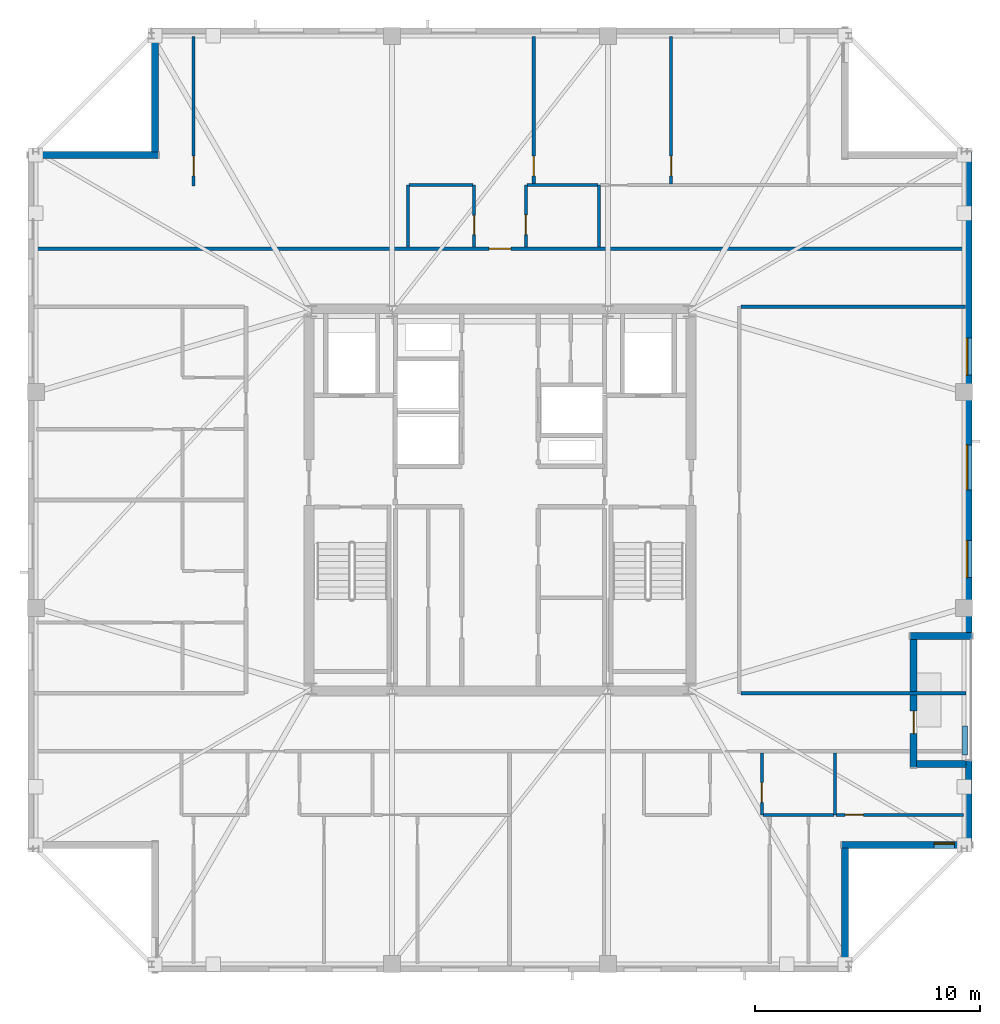
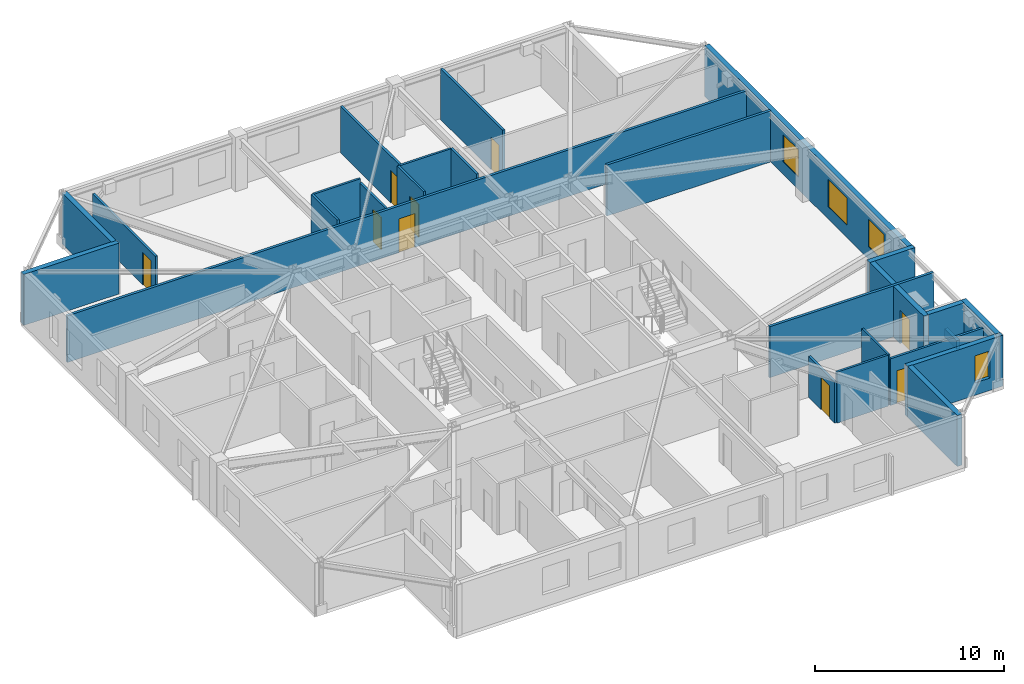
# One storey, part 10 of 14: 26 walls, 9 doors, 4 windows, 13 openings.
"""IFC4 building model written with IfcOpenShell, lengths in metres."""

from ifc_helpers import new_model, si_unit, direction, frame, frame_2d, origin, place, context, subcontext, project, spatial, rectangle, extrude, material, layer, layer_set, type_object, element, fill, save


model = new_model("IFC4")

# Units and contexts
model_context = context("Model", 3, precision=1e-05, world=origin(), true_north=direction((0.0, 1.0)))
body_context = subcontext(model_context, "Body", "Model", "MODEL_VIEW")
ifc_project = project(units=[si_unit("LENGTHUNIT", "METRE"), si_unit("AREAUNIT", "SQUARE_METRE"), si_unit("VOLUMEUNIT", "CUBIC_METRE"), si_unit("PLANEANGLEUNIT", "RADIAN"), si_unit("MASSUNIT", "GRAM", prefix="KILO")], contexts=[model_context])

# Site, building, storey
site_placement = place(None, origin())
site = spatial("IfcSite", under=ifc_project, at=site_placement, CompositionType="ELEMENT")
building_placement = place(site_placement, origin())
building = spatial("IfcBuilding", under=site, at=building_placement, Name="Cairnveth Concourse Tower", CompositionType="ELEMENT")
storey_placement = place(building_placement, frame((0.0, 0.0, 294.5)))
storey = spatial("IfcBuildingStorey", under=building, at=storey_placement, Name="L81", CompositionType="ELEMENT", Elevation=294.5)

# Wall, opening, door
ifc_material_1 = material(Name="Gypsum Plasterboard Partition", Category="gypsum")
ifc_layer_1 = layer(ifc_material_1, 0.159912109375)
ifc_layer_set_1 = layer_set([ifc_layer_1], Name="Gypsum Plasterboard Partition")
wall_type_1 = type_object("IfcWallType", Name="ACOUSTIC PARTY WALL 180", PredefinedType="PARTITIONING", material=ifc_layer_set_1)
wall_1_placement = place(storey_placement, frame((31.284912109375, 50.177490234375, 0.0), z_axis=(0.0, 0.0, 1.0), x_axis=(1.0, 0.0, 0.0)))
wall_1 = element("IfcWall", 1, at=wall_1_placement, inside=storey, type_object=wall_type_1, Name="Interior Wall IW-L81-037", PredefinedType="PARTITIONING", context=body_context, shape_type="SweptSolid", body=[
    extrude(rectangle(XDim=41.43017578125, YDim=0.159912109375, at=frame_2d((20.715087890625, 0.0))), origin(), (0.0, 0.0, 1.0), 3.009033203125),
])
opening_1_placement = place(wall_1_placement, frame((20.235107421875, 0.0, 0.0)))
opening_1 = element("IfcOpeningElement", 2, at=opening_1_placement, cuts=wall_1, Name="Opening ID10", PredefinedType="OPENING", context=body_context, shape_type="SweptSolid", body=[
    extrude(rectangle(XDim=0.9599609375, YDim=2.179931640625, at=frame_2d((0.47998046875, 1.08984375))), frame((0.0, 0.08984375, 0.0), z_axis=(0.0, -1.0, 0.0), x_axis=(1.0, 0.0, 0.0)), (0.0, 0.0, 1.0), 0.179931640625),
])
ifc_material_2 = material(Name="Solid Core Hardwood Timber Leaf", Category="wood")
door_type_1 = type_object("IfcDoorType", Name="FLAT ENTRANCE DOOR 960X2150", OperationType="NOTDEFINED", PredefinedType="DOOR", material=ifc_material_2)
door_1_placement = place(opening_1_placement, origin())
door_1 = element("IfcDoor", 3, at=door_1_placement, inside=storey, type_object=door_type_1, Name="Penthouse L81PN1 Entrance Door", OperationType="SINGLE_SWING_LEFT", OverallHeight=2.179931640625, OverallWidth=0.9599609375, PredefinedType="DOOR", context=body_context, shape_type="SweptSolid", body=[
    extrude(rectangle(XDim=0.9599609375, YDim=2.179931640625, at=frame_2d((0.47998046875, 1.08984375))), frame((0.0, 0.02490234375, 0.0), z_axis=(0.0, -1.0, 0.0), x_axis=(1.0, 0.0, 0.0)), (0.0, 0.0, 1.0), 0.050048828125),
])
fill(opening_1, door_1)

# Walls
wall_2_placement = place(storey_placement, frame((62.715087890625, 30.39990234375, 0.0), z_axis=(0.0, 0.0, 1.0), x_axis=(1.0, 0.0, 0.0)))
element("IfcWall", 4, at=wall_2_placement, inside=storey, type_object=wall_type_1, Name="Interior Wall IW-L81-042", PredefinedType="PARTITIONING", context=body_context, shape_type="SweptSolid", body=[
    extrude(rectangle(XDim=10.014892578125, YDim=0.159912109375, at=frame_2d((5.00732421875, 0.0))), origin(), (0.0, 0.0, 1.0), 3.2900390625),
])
wall_3_placement = place(storey_placement, frame((62.715087890625, 47.60009765625, 0.0), z_axis=(0.0, 0.0, 1.0), x_axis=(1.0, 0.0, 0.0)))
element("IfcWall", 5, at=wall_3_placement, inside=storey, type_object=wall_type_1, Name="Interior Wall IW-L81-043", PredefinedType="PARTITIONING", context=body_context, shape_type="SweptSolid", body=[
    extrude(rectangle(XDim=10.0, YDim=0.159912109375, at=frame_2d((5.0, 0.0))), origin(), (0.0, 0.0, 1.0), 3.2900390625),
])

# Wall, opening, door
ifc_layer_2 = layer(ifc_material_1, 0.139892578125)
ifc_layer_set_2 = layer_set([ifc_layer_2], Name="Gypsum Plasterboard Partition")
wall_type_2 = type_object("IfcWallType", Name="GYPSUM STUD PARTITION 140", PredefinedType="PARTITIONING", material=ifc_layer_set_2)
wall_4_placement = place(storey_placement, frame((66.951171875, 24.992431640625, 0.0), z_axis=(0.0, 0.0, 1.0), x_axis=(1.0, 0.0, 0.0)))
wall_4 = element("IfcWall", 6, at=wall_4_placement, inside=storey, type_object=wall_type_2, Name="Interior Wall IW-L81-063", PredefinedType="PARTITIONING", context=body_context, shape_type="SweptSolid", body=[
    extrude(rectangle(XDim=5.6787109375, YDim=0.139892578125, at=frame_2d((2.83935546875, 0.0))), origin(), (0.0, 0.0, 1.0), 3.009033203125),
])
opening_2_placement = place(wall_4_placement, frame((0.39990234375, 0.0, 0.0)))
opening_2 = element("IfcOpeningElement", 7, at=opening_2_placement, cuts=wall_4, Name="Opening ID22", PredefinedType="OPENING", context=body_context, shape_type="SweptSolid", body=[
    extrude(rectangle(XDim=0.820068359375, YDim=2.10009765625, at=frame_2d((0.41015625, 1.050048828125))), frame((0.0, 0.079833984375, 0.0), z_axis=(0.0, -1.0, 0.0), x_axis=(1.0, 0.0, 0.0)), (0.0, 0.0, 1.0), 0.159912109375),
])
door_type_2 = type_object("IfcDoorType", Name="INTERIOR WC DOOR 820X2100", OperationType="NOTDEFINED", PredefinedType="DOOR", material=ifc_material_2)
door_2_placement = place(opening_2_placement, origin())
door_2 = element("IfcDoor", 8, at=door_2_placement, inside=storey, type_object=door_type_2, Name="L81PS2 Utility Door", OperationType="SINGLE_SWING_RIGHT", OverallHeight=2.10009765625, OverallWidth=0.820068359375, PredefinedType="DOOR", context=body_context, shape_type="SweptSolid", body=[
    extrude(rectangle(XDim=0.820068359375, YDim=2.10009765625, at=frame_2d((0.41015625, 1.050048828125))), frame((0.0, 0.02490234375, 0.0), z_axis=(0.0, -1.0, 0.0), x_axis=(1.0, 0.0, 0.0)), (0.0, 0.0, 1.0), 0.050048828125),
])
fill(opening_2, door_2)

wall_5_placement = place(storey_placement, frame((38.3701171875, 52.967529296875, 0.0), z_axis=(0.0, 0.0, 1.0), x_axis=(0.0, 1.0, 0.0)))
wall_5 = element("IfcWall", 9, at=wall_5_placement, inside=storey, type_object=wall_type_2, Name="Interior Wall IW-L81-071", PredefinedType="PARTITIONING", context=body_context, shape_type="SweptSolid", body=[
    extrude(rectangle(XDim=6.652587890625, YDim=0.139892578125, at=frame_2d((3.326171875, 0.0))), origin(), (0.0, 0.0, 1.0), 2.653076171875),
])
opening_3_placement = place(wall_5_placement, frame((0.449951171875, 0.0, 0.0)))
opening_3 = element("IfcOpeningElement", 10, at=opening_3_placement, cuts=wall_5, Name="Opening ID18", PredefinedType="OPENING", context=body_context, shape_type="SweptSolid", body=[
    extrude(rectangle(XDim=0.8798828125, YDim=2.10009765625, at=frame_2d((0.43994140625, 1.050048828125))), frame((0.0, 0.079833984375, 0.0), z_axis=(0.0, -1.0, 0.0), x_axis=(1.0, 0.0, 0.0)), (0.0, 0.0, 1.0), 0.159912109375),
])
door_type_3 = type_object("IfcDoorType", Name="INTERIOR SINGLE DOOR 880X2100", OperationType="NOTDEFINED", PredefinedType="DOOR", material=ifc_material_2)
door_3_placement = place(opening_3_placement, origin())
door_3 = element("IfcDoor", 11, at=door_3_placement, inside=storey, type_object=door_type_3, Name="L81PN1 Master Bedroom Door", OperationType="SINGLE_SWING_RIGHT", OverallHeight=2.10009765625, OverallWidth=0.8798828125, PredefinedType="DOOR", context=body_context, shape_type="SweptSolid", body=[
    extrude(rectangle(XDim=0.8798828125, YDim=2.10009765625, at=frame_2d((0.43994140625, 1.050048828125))), frame((0.0, 0.02490234375, 0.0), z_axis=(0.0, -1.0, 0.0), x_axis=(1.0, 0.0, 0.0)), (0.0, 0.0, 1.0), 0.050048828125),
])
fill(opening_3, door_3)

wall_6_placement = place(storey_placement, frame((53.5, 53.0576171875, 0.0), z_axis=(0.0, 0.0, 1.0), x_axis=(0.0, 1.0, 0.0)))
wall_6 = element("IfcWall", 12, at=wall_6_placement, inside=storey, type_object=wall_type_2, Name="Interior Wall IW-L81-074", PredefinedType="PARTITIONING", context=body_context, shape_type="SweptSolid", body=[
    extrude(rectangle(XDim=6.5625, YDim=0.139892578125, at=frame_2d((3.28125, 0.0))), origin(), (0.0, 0.0, 1.0), 3.009033203125),
])
opening_4_placement = place(wall_6_placement, frame((0.360107421875, 0.0, 0.0)))
opening_4 = element("IfcOpeningElement", 13, at=opening_4_placement, cuts=wall_6, Name="Opening ID18", PredefinedType="OPENING", context=body_context, shape_type="SweptSolid", body=[
    extrude(rectangle(XDim=0.8798828125, YDim=2.10009765625, at=frame_2d((0.43994140625, 1.050048828125))), frame((0.0, 0.079833984375, 0.0), z_axis=(0.0, -1.0, 0.0), x_axis=(1.0, 0.0, 0.0)), (0.0, 0.0, 1.0), 0.159912109375),
])
door_4_placement = place(opening_4_placement, origin())
door_4 = element("IfcDoor", 14, at=door_4_placement, inside=storey, type_object=door_type_3, Name="L81PN1 Media Lounge Door", OperationType="SINGLE_SWING_LEFT", OverallHeight=2.10009765625, OverallWidth=0.8798828125, PredefinedType="DOOR", context=body_context, shape_type="SweptSolid", body=[
    extrude(rectangle(XDim=0.8798828125, YDim=2.10009765625, at=frame_2d((0.43994140625, 1.050048828125))), frame((0.0, 0.02490234375, 0.0), z_axis=(0.0, -1.0, 0.0), x_axis=(1.0, 0.0, 0.0)), (0.0, 0.0, 1.0), 0.050048828125),
])
fill(opening_4, door_4)

wall_7_placement = place(storey_placement, frame((59.614990234375, 53.0625, 0.0), z_axis=(0.0, 0.0, 1.0), x_axis=(0.0, 1.0, 0.0)))
wall_7 = element("IfcWall", 15, at=wall_7_placement, inside=storey, type_object=wall_type_2, Name="Interior Wall IW-L81-075", PredefinedType="PARTITIONING", context=body_context, shape_type="SweptSolid", body=[
    extrude(rectangle(XDim=6.5576171875, YDim=0.139892578125, at=frame_2d((3.27880859375, 0.0))), origin(), (0.0, 0.0, 1.0), 3.2900390625),
])
opening_5_placement = place(wall_7_placement, frame((0.35498046875, 0.0, 0.0)))
opening_5 = element("IfcOpeningElement", 16, at=opening_5_placement, cuts=wall_7, Name="Opening ID18", PredefinedType="OPENING", context=body_context, shape_type="SweptSolid", body=[
    extrude(rectangle(XDim=0.8798828125, YDim=2.10009765625, at=frame_2d((0.43994140625, 1.050048828125))), frame((0.0, 0.079833984375, 0.0), z_axis=(0.0, -1.0, 0.0), x_axis=(1.0, 0.0, 0.0)), (0.0, 0.0, 1.0), 0.159912109375),
])
door_5_placement = place(opening_5_placement, origin())
door_5 = element("IfcDoor", 17, at=door_5_placement, inside=storey, type_object=door_type_3, Name="L81PN1 Library Salon Door", OperationType="SINGLE_SWING_RIGHT", OverallHeight=2.10009765625, OverallWidth=0.8798828125, PredefinedType="DOOR", context=body_context, shape_type="SweptSolid", body=[
    extrude(rectangle(XDim=0.8798828125, YDim=2.10009765625, at=frame_2d((0.43994140625, 1.050048828125))), frame((0.0, 0.02490234375, 0.0), z_axis=(0.0, -1.0, 0.0), x_axis=(1.0, 0.0, 0.0)), (0.0, 0.0, 1.0), 0.050048828125),
])
fill(opening_5, door_5)

# Walls
ifc_material_3 = material(Name="Dressed Melbourne Bluestone Cladding", Category="masonry")
ifc_layer_3 = layer(ifc_material_3, 0.219970703125)
ifc_layer_set_3 = layer_set([ifc_layer_3], Name="Dressed Melbourne Bluestone Cladding")
wall_type_3 = type_object("IfcWallType", Name="TERRACE PLANTER CURB WALL 220", PredefinedType="PARAPET", material=ifc_layer_set_3)
wall_8_placement = place(storey_placement, frame((72.679931640625, 27.64990234375, 0.0), z_axis=(0.0, 0.0, 1.0), x_axis=(0.0, 1.0, 0.0)))
element("IfcWall", 18, at=wall_8_placement, inside=storey, type_object=wall_type_3, Name="Exterior Wall PLNT-L81-TERR", PredefinedType="PARAPET", context=body_context, shape_type="SweptSolid", body=[
    extrude(rectangle(XDim=1.300048828125, YDim=0.219970703125, at=frame_2d((0.64990234375, 0.0))), origin(), (0.0, 0.0, 1.0), 0.550048828125),
])
ifc_layer_4 = layer(ifc_material_1, 0.1298828125)
ifc_layer_set_4 = layer_set([ifc_layer_4], Name="Gypsum Plasterboard Partition")
wall_type_4 = type_object("IfcWallType", Name="WET AREA PARTITION 140", PredefinedType="PLUMBINGWALL", material=ifc_layer_set_4)
wall_9_placement = place(storey_placement, frame((66.901123046875, 24.992431640625, 0.0), z_axis=(0.0, 0.0, 1.0), x_axis=(0.0, 1.0, 0.0)))
element("IfcWall", 19, at=wall_9_placement, inside=storey, type_object=wall_type_4, Name="Interior Wall IW-L81-058", PredefinedType="PLUMBINGWALL", context=body_context, shape_type="SweptSolid", body=[
    extrude(rectangle(XDim=2.75, YDim=0.1298828125, at=frame_2d((1.375, 0.0))), origin(), (0.0, 0.0, 1.0), 3.2900390625),
])

# Wall, opening, door
wall_10_placement = place(storey_placement, frame((63.651123046875, 24.992431640625, 0.0), z_axis=(0.0, 0.0, 1.0), x_axis=(0.0, 1.0, 0.0)))
wall_10 = element("IfcWall", 20, at=wall_10_placement, inside=storey, type_object=wall_type_4, Name="Interior Wall IW-L81-059", PredefinedType="PLUMBINGWALL", context=body_context, shape_type="SweptSolid", body=[
    extrude(rectangle(XDim=2.75, YDim=0.1298828125, at=frame_2d((1.375, 0.0))), origin(), (0.0, 0.0, 1.0), 2.653076171875),
])
opening_6_placement = place(wall_10_placement, frame((0.550048828125, 0.0, 0.0)))
opening_6 = element("IfcOpeningElement", 21, at=opening_6_placement, cuts=wall_10, Name="Opening ID18", PredefinedType="OPENING", context=body_context, shape_type="SweptSolid", body=[
    extrude(rectangle(XDim=0.8798828125, YDim=2.10009765625, at=frame_2d((0.43994140625, 1.050048828125))), frame((0.0, 0.074951171875, 0.0), z_axis=(0.0, -1.0, 0.0), x_axis=(1.0, 0.0, 0.0)), (0.0, 0.0, 1.0), 0.14990234375),
])
door_6_placement = place(opening_6_placement, origin())
door_6 = element("IfcDoor", 22, at=door_6_placement, inside=storey, type_object=door_type_3, Name="L81PS2 Kitchen Door", OperationType="SINGLE_SWING_RIGHT", OverallHeight=2.10009765625, OverallWidth=0.8798828125, PredefinedType="DOOR", context=body_context, shape_type="SweptSolid", body=[
    extrude(rectangle(XDim=0.8798828125, YDim=2.10009765625, at=frame_2d((0.43994140625, 1.050048828125))), frame((0.0, 0.02490234375, 0.0), z_axis=(0.0, -1.0, 0.0), x_axis=(1.0, 0.0, 0.0)), (0.0, 0.0, 1.0), 0.050048828125),
])
fill(opening_6, door_6)

# Walls
wall_11_placement = place(storey_placement, frame((63.701171875, 24.992431640625, 0.0), z_axis=(0.0, 0.0, 1.0), x_axis=(1.0, 0.0, 0.0)))
element("IfcWall", 23, at=wall_11_placement, inside=storey, type_object=wall_type_4, Name="Interior Wall IW-L81-060", PredefinedType="PLUMBINGWALL", context=body_context, shape_type="SweptSolid", body=[
    extrude(rectangle(XDim=3.150146484375, YDim=0.1298828125, at=frame_2d((1.5751953125, 0.0))), origin(), (0.0, 0.0, 1.0), 3.2900390625),
])
wall_12_placement = place(storey_placement, frame((47.89990234375, 50.257568359375, 0.0), z_axis=(0.0, 0.0, 1.0), x_axis=(0.0, 1.0, 0.0)))
element("IfcWall", 24, at=wall_12_placement, inside=storey, type_object=wall_type_4, Name="Interior Wall IW-L81-065", PredefinedType="PLUMBINGWALL", context=body_context, shape_type="SweptSolid", body=[
    extrude(rectangle(XDim=2.75, YDim=0.1298828125, at=frame_2d((1.375, 0.0))), origin(), (0.0, 0.0, 1.0), 3.2900390625),
])

# Wall, opening, door
wall_13_placement = place(storey_placement, frame((50.85009765625, 50.257568359375, 0.0), z_axis=(0.0, 0.0, 1.0), x_axis=(0.0, 1.0, 0.0)))
wall_13 = element("IfcWall", 25, at=wall_13_placement, inside=storey, type_object=wall_type_4, Name="Interior Wall IW-L81-066", PredefinedType="PLUMBINGWALL", context=body_context, shape_type="SweptSolid", body=[
    extrude(rectangle(XDim=2.75, YDim=0.1298828125, at=frame_2d((1.375, 0.0))), origin(), (0.0, 0.0, 1.0), 3.009033203125),
])
opening_7_placement = place(wall_13_placement, frame((0.550048828125, 0.0, 0.0)))
opening_7 = element("IfcOpeningElement", 26, at=opening_7_placement, cuts=wall_13, Name="Opening ID21", PredefinedType="OPENING", context=body_context, shape_type="SweptSolid", body=[
    extrude(rectangle(XDim=0.85009765625, YDim=2.080078125, at=frame_2d((0.425048828125, 1.0400390625))), frame((0.0, 0.074951171875, 0.0), z_axis=(0.0, -1.0, 0.0), x_axis=(1.0, 0.0, 0.0)), (0.0, 0.0, 1.0), 0.14990234375),
])
door_type_4 = type_object("IfcDoorType", Name="INTERIOR WC DOOR 850X2100", OperationType="NOTDEFINED", PredefinedType="DOOR", material=ifc_material_2)
door_7_placement = place(opening_7_placement, origin())
door_7 = element("IfcDoor", 27, at=door_7_placement, inside=storey, type_object=door_type_4, Name="L81PN1 Bathroom Door", OperationType="SINGLE_SWING_RIGHT", OverallHeight=2.080078125, OverallWidth=0.85009765625, PredefinedType="DOOR", context=body_context, shape_type="SweptSolid", body=[
    extrude(rectangle(XDim=0.85009765625, YDim=2.080078125, at=frame_2d((0.425048828125, 1.0400390625))), frame((0.0, 0.02490234375, 0.0), z_axis=(0.0, -1.0, 0.0), x_axis=(1.0, 0.0, 0.0)), (0.0, 0.0, 1.0), 0.050048828125),
])
fill(opening_7, door_7)

# Walls
wall_14_placement = place(storey_placement, frame((47.949951171875, 53.007568359375, 0.0), z_axis=(0.0, 0.0, 1.0), x_axis=(1.0, 0.0, 0.0)))
element("IfcWall", 28, at=wall_14_placement, inside=storey, type_object=wall_type_4, Name="Interior Wall IW-L81-067", PredefinedType="PLUMBINGWALL", context=body_context, shape_type="SweptSolid", body=[
    extrude(rectangle(XDim=2.85009765625, YDim=0.1298828125, at=frame_2d((1.425048828125, 0.0))), origin(), (0.0, 0.0, 1.0), 3.2900390625),
])
wall_15_placement = place(storey_placement, frame((56.39990234375, 50.257568359375, 0.0), z_axis=(0.0, 0.0, 1.0), x_axis=(0.0, 1.0, 0.0)))
element("IfcWall", 29, at=wall_15_placement, inside=storey, type_object=wall_type_4, Name="Interior Wall IW-L81-068", PredefinedType="PLUMBINGWALL", context=body_context, shape_type="SweptSolid", body=[
    extrude(rectangle(XDim=2.75, YDim=0.1298828125, at=frame_2d((1.375, 0.0))), origin(), (0.0, 0.0, 1.0), 3.2900390625),
])

# Wall, opening, door
wall_16_placement = place(storey_placement, frame((53.14990234375, 50.257568359375, 0.0), z_axis=(0.0, 0.0, 1.0), x_axis=(0.0, 1.0, 0.0)))
wall_16 = element("IfcWall", 30, at=wall_16_placement, inside=storey, type_object=wall_type_4, Name="Interior Wall IW-L81-069", PredefinedType="PLUMBINGWALL", context=body_context, shape_type="SweptSolid", body=[
    extrude(rectangle(XDim=2.75, YDim=0.1298828125, at=frame_2d((1.375, 0.0))), origin(), (0.0, 0.0, 1.0), 3.2900390625),
])
opening_8_placement = place(wall_16_placement, frame((0.550048828125, 0.0, 0.0)))
opening_8 = element("IfcOpeningElement", 31, at=opening_8_placement, cuts=wall_16, Name="Opening ID18", PredefinedType="OPENING", context=body_context, shape_type="SweptSolid", body=[
    extrude(rectangle(XDim=0.8798828125, YDim=2.10009765625, at=frame_2d((0.43994140625, 1.050048828125))), frame((0.0, 0.074951171875, 0.0), z_axis=(0.0, -1.0, 0.0), x_axis=(1.0, 0.0, 0.0)), (0.0, 0.0, 1.0), 0.14990234375),
])
door_8_placement = place(opening_8_placement, origin())
door_8 = element("IfcDoor", 32, at=door_8_placement, inside=storey, type_object=door_type_3, Name="L81PN1 Kitchen Door", OperationType="SINGLE_SWING_LEFT", OverallHeight=2.10009765625, OverallWidth=0.8798828125, PredefinedType="DOOR", context=body_context, shape_type="SweptSolid", body=[
    extrude(rectangle(XDim=0.8798828125, YDim=2.10009765625, at=frame_2d((0.43994140625, 1.050048828125))), frame((0.0, 0.02490234375, 0.0), z_axis=(0.0, -1.0, 0.0), x_axis=(1.0, 0.0, 0.0)), (0.0, 0.0, 1.0), 0.050048828125),
])
fill(opening_8, door_8)

# Walls
wall_17_placement = place(storey_placement, frame((53.199951171875, 53.007568359375, 0.0), z_axis=(0.0, 0.0, 1.0), x_axis=(1.0, 0.0, 0.0)))
element("IfcWall", 33, at=wall_17_placement, inside=storey, type_object=wall_type_4, Name="Interior Wall IW-L81-070", PredefinedType="PLUMBINGWALL", context=body_context, shape_type="SweptSolid", body=[
    extrude(rectangle(XDim=3.150146484375, YDim=0.1298828125, at=frame_2d((1.5751953125, 0.0))), origin(), (0.0, 0.0, 1.0), 3.2900390625),
])
ifc_material_4 = material(Name="Hawthorn Red-Ochre Fired Clay Brick Masonry", Category="masonry")
ifc_layer_5 = layer(ifc_material_4, 0.300048828125)
ifc_layer_set_5 = layer_set([ifc_layer_5], Name="Hawthorn Red-Ochre Fired Clay Brick Masonry")
wall_type_5 = type_object("IfcWallType", Name="ZONE 4 BRICK PIER SPANDREL WALL 300", PredefinedType="SOLIDWALL", material=ifc_layer_set_5)
wall_18_placement = place(storey_placement, frame((72.85009765625, 27.39990234375, 0.0), z_axis=(0.0, 0.0, 1.0), x_axis=(0.0, -1.0, 0.0)))
element("IfcWall", 34, at=wall_18_placement, inside=storey, type_object=wall_type_5, Name="Exterior Wall EW-L81-S00", PredefinedType="SOLIDWALL", context=body_context, shape_type="SweptSolid", body=[
    extrude(rectangle(XDim=3.621826171875, YDim=0.300048828125, at=frame_2d((1.81103515625, 0.0))), origin(), (0.0, 0.0, 1.0), 3.2900390625),
])

# Wall, opening, window
wall_19_placement = place(storey_placement, frame((73.0, 23.64990234375, 0.0), z_axis=(0.0, 0.0, 1.0), x_axis=(-1.0, 0.0, 0.0)))
wall_19 = element("IfcWall", 35, at=wall_19_placement, inside=storey, type_object=wall_type_5, Name="Exterior Wall EW-L81-S01", PredefinedType="SOLIDWALL", context=body_context, shape_type="SweptSolid", body=[
    extrude(rectangle(XDim=5.800048828125, YDim=0.300048828125, at=frame_2d((2.89990234375, 0.0))), origin(), (0.0, 0.0, 1.0), 3.2900390625),
])
opening_9_placement = place(wall_19_placement, frame((0.7900390625, 0.0, 0.800048828125)))
opening_9 = element("IfcOpeningElement", 36, at=opening_9_placement, cuts=wall_19, Name="Opening W13", PredefinedType="OPENING", context=body_context, shape_type="SweptSolid", body=[
    extrude(rectangle(XDim=0.89990234375, YDim=1.75, at=frame_2d((0.449951171875, 0.875))), frame((0.0, 0.159912109375, 0.0), z_axis=(0.0, -1.0, 0.0), x_axis=(1.0, 0.0, 0.0)), (0.0, 0.0, 1.0), 0.320068359375),
])
ifc_material_5 = material(Name="Double Glazed Low-E Clear Glass", Category="glass")
window_type_1 = type_object("IfcWindowType", Name="DEEP-SET BEDROOM LANCET WINDOW 900X1750", PartitioningType="DOUBLE_PANEL_VERTICAL", PredefinedType="WINDOW", material=ifc_material_5)
window_1_placement = place(opening_9_placement, origin())
window_1 = element("IfcWindow", 37, at=window_1_placement, inside=storey, type_object=window_type_1, Name="Dwelling Lancet Window L81-DW2", OverallHeight=1.75, OverallWidth=0.89990234375, PartitioningType="SINGLE_PANEL", PredefinedType="WINDOW", context=body_context, shape_type="SweptSolid", body=[
    extrude(rectangle(XDim=0.89990234375, YDim=1.75, at=frame_2d((0.449951171875, 0.875))), frame((0.0, -0.0400390625, 0.0), z_axis=(0.0, -1.0, 0.0), x_axis=(1.0, 0.0, 0.0)), (0.0, 0.0, 1.0), 0.06005859375),
])
fill(opening_9, window_1)

# Walls
wall_20_placement = place(storey_placement, frame((67.35009765625, 23.52197265625, 0.0), z_axis=(0.0, 0.0, 1.0), x_axis=(0.0, -1.0, 0.0)))
element("IfcWall", 38, at=wall_20_placement, inside=storey, type_object=wall_type_5, Name="Exterior Wall EW-L81-S02", PredefinedType="SOLIDWALL", context=body_context, shape_type="SweptSolid", body=[
    extrude(rectangle(XDim=5.243896484375, YDim=0.300048828125, at=frame_2d((2.6220703125, 0.0))), origin(), (0.0, 0.0, 1.0), 3.2900390625),
])
wall_21_placement = place(storey_placement, frame((31.0, 54.35009765625, 0.0), z_axis=(0.0, 0.0, 1.0), x_axis=(1.0, 0.0, 0.0)))
element("IfcWall", 39, at=wall_21_placement, inside=storey, type_object=wall_type_5, Name="Exterior Wall EW-L81-S07", PredefinedType="SOLIDWALL", context=body_context, shape_type="SweptSolid", body=[
    extrude(rectangle(XDim=5.800048828125, YDim=0.300048828125, at=frame_2d((2.89990234375, 0.0))), origin(), (0.0, 0.0, 1.0), 3.2900390625),
])
wall_22_placement = place(storey_placement, frame((36.64990234375, 54.47802734375, 0.0), z_axis=(0.0, 0.0, 1.0), x_axis=(0.0, 1.0, 0.0)))
element("IfcWall", 40, at=wall_22_placement, inside=storey, type_object=wall_type_5, Name="Exterior Wall EW-L81-S08", PredefinedType="SOLIDWALL", context=body_context, shape_type="SweptSolid", body=[
    extrude(rectangle(XDim=5.243896484375, YDim=0.300048828125, at=frame_2d((2.6220703125, 0.0))), origin(), (0.0, 0.0, 1.0), 3.2900390625),
])

# Wall, openings, windows
wall_23_placement = place(storey_placement, frame((72.85009765625, 54.5, 0.0), z_axis=(0.0, 0.0, 1.0), x_axis=(0.0, -1.0, 0.0)))
wall_23 = element("IfcWall", 41, at=wall_23_placement, inside=storey, type_object=wall_type_5, Name="Exterior Wall EW-L81-S12", PredefinedType="SOLIDWALL", context=body_context, shape_type="SweptSolid", body=[
    extrude(rectangle(XDim=21.422119140625, YDim=0.300048828125, at=frame_2d((10.7109375, 0.0))), origin(), (0.0, 0.0, 1.0), 3.2900390625),
])
opening_10_placement = place(wall_23_placement, frame((8.295654296875, 0.0, 0.800048828125)))
opening_10 = element("IfcOpeningElement", 42, at=opening_10_placement, cuts=wall_23, Name="Opening W04", PredefinedType="OPENING", context=body_context, shape_type="SweptSolid", body=[
    extrude(rectangle(XDim=1.64990234375, YDim=1.758056640625, at=frame_2d((0.824951171875, 0.87890625))), frame((0.0, 0.159912109375, 0.0), z_axis=(0.0, -1.0, 0.0), x_axis=(1.0, 0.0, 0.0)), (0.0, 0.0, 1.0), 0.320068359375),
])
opening_11_placement = place(wall_23_placement, frame((13.05126953125, 0.0, 0.800048828125)))
opening_11 = element("IfcOpeningElement", 43, at=opening_11_placement, cuts=wall_23, Name="Opening W09", PredefinedType="OPENING", context=body_context, shape_type="SweptSolid", body=[
    extrude(rectangle(XDim=2.0, YDim=1.758056640625, at=frame_2d((1.0, 0.87890625))), frame((0.0, 0.159912109375, 0.0), z_axis=(0.0, -1.0, 0.0), x_axis=(1.0, 0.0, 0.0)), (0.0, 0.0, 1.0), 0.320068359375),
])
opening_12_placement = place(wall_23_placement, frame((17.306640625, 0.0, 0.800048828125)))
opening_12 = element("IfcOpeningElement", 44, at=opening_12_placement, cuts=wall_23, Name="Opening W04", PredefinedType="OPENING", context=body_context, shape_type="SweptSolid", body=[
    extrude(rectangle(XDim=1.64990234375, YDim=1.758056640625, at=frame_2d((0.824951171875, 0.87890625))), frame((0.0, 0.159912109375, 0.0), z_axis=(0.0, -1.0, 0.0), x_axis=(1.0, 0.0, 0.0)), (0.0, 0.0, 1.0), 0.320068359375),
])
window_type_2 = type_object("IfcWindowType", Name="DEEP-SET GOTHIC LANCET WINDOW 1650X1850", PartitioningType="DOUBLE_PANEL_VERTICAL", PredefinedType="WINDOW", material=ifc_material_5)
window_2_placement = place(opening_10_placement, origin())
window_2 = element("IfcWindow", 45, at=window_2_placement, inside=storey, type_object=window_type_2, Name="Gothic Lancet Window L81-12-2", OverallHeight=1.758056640625, OverallWidth=1.64990234375, PartitioningType="SINGLE_PANEL", PredefinedType="WINDOW", context=body_context, shape_type="SweptSolid", body=[
    extrude(rectangle(XDim=1.64990234375, YDim=1.758056640625, at=frame_2d((0.824951171875, 0.87890625))), frame((0.0, -0.050048828125, 0.0), z_axis=(0.0, -1.0, 0.0), x_axis=(1.0, 0.0, 0.0)), (0.0, 0.0, 1.0), 0.06005859375),
])
fill(opening_10, window_2)
window_3_placement = place(opening_12_placement, origin())
window_3 = element("IfcWindow", 46, at=window_3_placement, inside=storey, type_object=window_type_2, Name="Gothic Lancet Window L81-12-4", OverallHeight=1.758056640625, OverallWidth=1.64990234375, PartitioningType="SINGLE_PANEL", PredefinedType="WINDOW", context=body_context, shape_type="SweptSolid", body=[
    extrude(rectangle(XDim=1.64990234375, YDim=1.758056640625, at=frame_2d((0.824951171875, 0.87890625))), frame((0.0, -0.050048828125, 0.0), z_axis=(0.0, -1.0, 0.0), x_axis=(1.0, 0.0, 0.0)), (0.0, 0.0, 1.0), 0.06005859375),
])
fill(opening_12, window_3)
window_type_3 = type_object("IfcWindowType", Name="DEEP-SET PENTHOUSE LANCET WINDOW 2000X1850", PartitioningType="DOUBLE_PANEL_VERTICAL", PredefinedType="WINDOW", material=ifc_material_5)
window_4_placement = place(opening_11_placement, origin())
window_4 = element("IfcWindow", 47, at=window_4_placement, inside=storey, type_object=window_type_3, Name="Gothic Lancet Window L81-12-3", OverallHeight=1.758056640625, OverallWidth=2.0, PartitioningType="SINGLE_PANEL", PredefinedType="WINDOW", context=body_context, shape_type="SweptSolid", body=[
    extrude(rectangle(XDim=2.0, YDim=1.758056640625, at=frame_2d((1.0, 0.87890625))), frame((0.0, -0.050048828125, 0.0), z_axis=(0.0, -1.0, 0.0), x_axis=(1.0, 0.0, 0.0)), (0.0, 0.0, 1.0), 0.06005859375),
])
fill(opening_11, window_4)

# Wall
wall_24_placement = place(storey_placement, frame((73.0, 32.949951171875, 0.0), z_axis=(0.0, 0.0, 1.0), x_axis=(-1.0, 0.0, 0.0)))
element("IfcWall", 48, at=wall_24_placement, inside=storey, type_object=wall_type_5, Name="Exterior Wall EW-L81-S13", PredefinedType="SOLIDWALL", context=body_context, shape_type="SweptSolid", body=[
    extrude(rectangle(XDim=2.75, YDim=0.300048828125, at=frame_2d((1.375, 0.0))), origin(), (0.0, 0.0, 1.0), 3.2900390625),
])

# Wall, opening, door
wall_25_placement = place(storey_placement, frame((70.39990234375, 32.822021484375, 0.0), z_axis=(0.0, 0.0, 1.0), x_axis=(0.0, -1.0, 0.0)))
wall_25 = element("IfcWall", 49, at=wall_25_placement, inside=storey, type_object=wall_type_5, Name="Exterior Wall EW-L81-S14", PredefinedType="SOLIDWALL", context=body_context, shape_type="SweptSolid", body=[
    extrude(rectangle(XDim=5.721923828125, YDim=0.300048828125, at=frame_2d((2.86083984375, 0.0))), origin(), (0.0, 0.0, 1.0), 3.2900390625),
])
opening_13_placement = place(wall_25_placement, frame((3.210693359375, 0.0, 0.0)))
opening_13 = element("IfcOpeningElement", 50, at=opening_13_placement, cuts=wall_25, Name="Opening ED4", PredefinedType="OPENING", context=body_context, shape_type="SweptSolid", body=[
    extrude(rectangle(XDim=1.0, YDim=2.14990234375, at=frame_2d((0.5, 1.074951171875))), frame((0.0, 0.159912109375, 0.0), z_axis=(0.0, -1.0, 0.0), x_axis=(1.0, 0.0, 0.0)), (0.0, 0.0, 1.0), 0.320068359375),
])
ifc_material_6 = material(Name="Architectural Bronze Anodised Aluminium 6063-T6", Category="aluminium")
door_type_5 = type_object("IfcDoorType", Name="TERRACE GLAZED DOOR 1000X2150", OperationType="NOTDEFINED", PredefinedType="DOOR", material=ifc_material_6)
door_9_placement = place(opening_13_placement, origin())
door_9 = element("IfcDoor", 51, at=door_9_placement, inside=storey, type_object=door_type_5, Name="Spiral Terrace Door L81", OperationType="SINGLE_SWING_RIGHT", OverallHeight=2.14990234375, OverallWidth=1.0, PredefinedType="DOOR", context=body_context, shape_type="SweptSolid", body=[
    extrude(rectangle(XDim=1.0, YDim=2.14990234375, at=frame_2d((0.5, 1.074951171875))), frame((0.0, 0.02490234375, 0.0), z_axis=(0.0, -1.0, 0.0), x_axis=(1.0, 0.0, 0.0)), (0.0, 0.0, 1.0), 0.050048828125),
])
fill(opening_13, door_9)

# Wall
wall_26_placement = place(storey_placement, frame((70.528076171875, 27.25, 0.0), z_axis=(0.0, 0.0, 1.0), x_axis=(1.0, 0.0, 0.0)))
element("IfcWall", 52, at=wall_26_placement, inside=storey, type_object=wall_type_5, Name="Exterior Wall EW-L81-S15", PredefinedType="SOLIDWALL", context=body_context, shape_type="SweptSolid", body=[
    extrude(rectangle(XDim=2.19384765625, YDim=0.300048828125, at=frame_2d((1.096923828125, 0.0))), origin(), (0.0, 0.0, 1.0), 3.2900390625),
])

save(model, "model.ifc")
